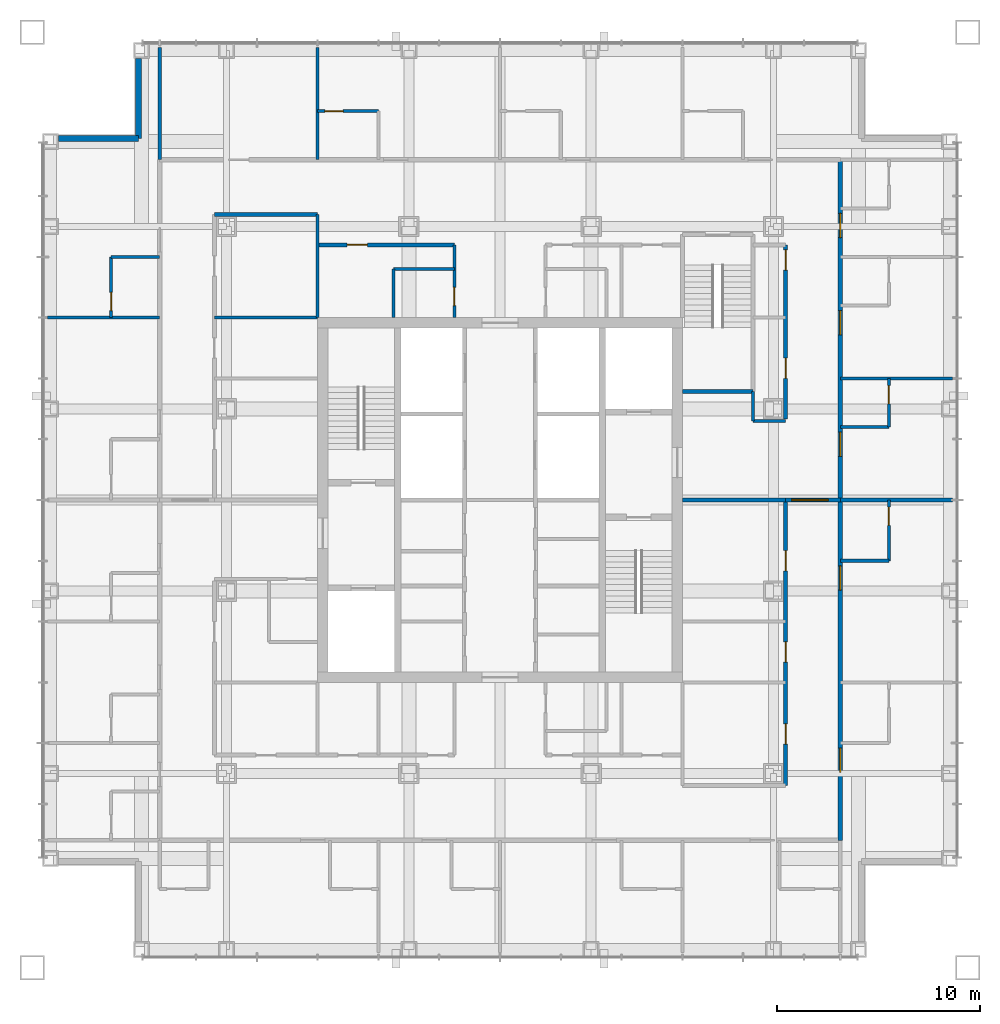
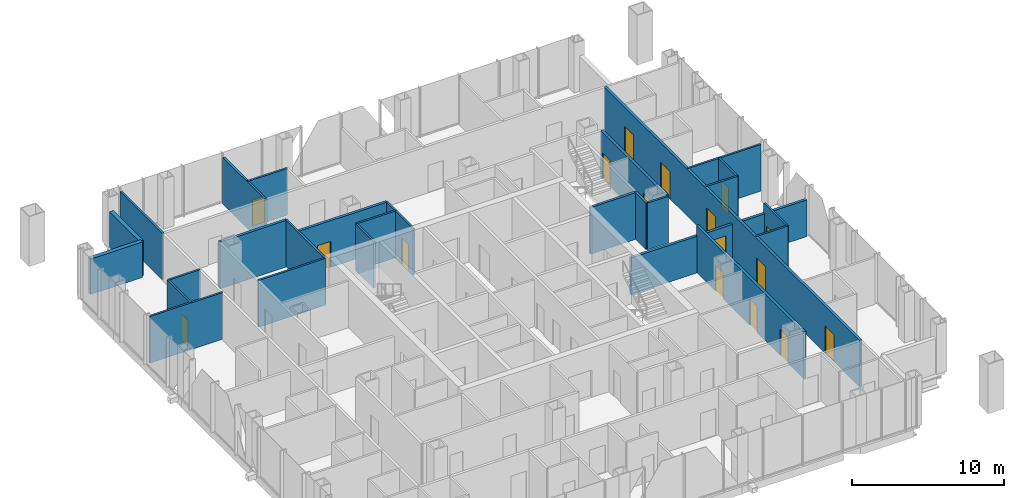
# One storey, part 10 of 17: 29 walls, 17 doors, 17 openings.
"""IFC4 building model written with IfcOpenShell, lengths in metres."""

from ifc_helpers import new_model, si_unit, direction, frame, frame_2d, origin, place, context, subcontext, project, spatial, rectangle, extrude, material, layer, layer_set, type_object, element, fill, save


model = new_model("IFC4")

# Units and contexts
model_context = context("Model", 3, precision=1e-05, world=origin(), true_north=direction((0.0, 1.0)))
body_context = subcontext(model_context, "Body", "Model", "MODEL_VIEW")
ifc_project = project(units=[si_unit("LENGTHUNIT", "METRE"), si_unit("AREAUNIT", "SQUARE_METRE"), si_unit("VOLUMEUNIT", "CUBIC_METRE"), si_unit("PLANEANGLEUNIT", "RADIAN"), si_unit("MASSUNIT", "GRAM", prefix="KILO")], contexts=[model_context])

# Site, building, storey
site_placement = place(None, origin())
site = spatial("IfcSite", under=ifc_project, at=site_placement, CompositionType="ELEMENT")
building_placement = place(site_placement, origin())
building = spatial("IfcBuilding", under=site, at=building_placement, Name="Malebo Sky Hospital", CompositionType="ELEMENT")
storey_placement = place(building_placement, frame((0.0, 0.0, 237.0)))
storey = spatial("IfcBuildingStorey", under=building, at=storey_placement, Name="L57", CompositionType="ELEMENT", Elevation=237.0)

# Wall
ifc_material_1 = material(Name="Gypsum board on steel studs", Category="steel")
ifc_layer_1 = layer(ifc_material_1, 0.199951171875)
ifc_layer_set_1 = layer_set([ifc_layer_1], Name="CORRIDOR WALL 200")
wall_type_1 = type_object("IfcWallType", Name="CORRIDOR WALL 200", PredefinedType="PARTITIONING", material=ifc_layer_set_1)
wall_1_placement = place(storey_placement, frame((45.89990234375, 76.10009765625, 0.0), z_axis=(0.0, 0.0, 1.0), x_axis=(1.0, 0.0, 0.0)))
element("IfcWall", 1, at=wall_1_placement, inside=storey, type_object=wall_type_1, Name="Corridor Wall 200 NCIK", PredefinedType="PARTITIONING", context=body_context, shape_type="SweptSolid", body=[
    extrude(rectangle(XDim=5.10009765625, YDim=0.199951171875, at=frame_2d((2.550048828125, 0.0))), origin(), (0.0, 0.0, 1.0), 3.75),
])

# Wall, opening, door
wall_2_placement = place(storey_placement, frame((51.0, 74.60009765625, 0.0), z_axis=(0.0, 0.0, 1.0), x_axis=(1.0, 0.0, 0.0)))
wall_2 = element("IfcWall", 2, at=wall_2_placement, inside=storey, type_object=wall_type_1, Name="Corridor Wall 200 NCI1", PredefinedType="PARTITIONING", context=body_context, shape_type="SweptSolid", body=[
    extrude(rectangle(XDim=6.75, YDim=0.199951171875, at=frame_2d((3.375, 0.0))), origin(), (0.0, 0.0, 1.0), 3.75),
])
opening_1_placement = place(wall_2_placement, frame((1.449951171875, 0.0, 0.0)))
opening_1 = element("IfcOpeningElement", 3, at=opening_1_placement, cuts=wall_2, Name="Opening D03", PredefinedType="OPENING", context=body_context, shape_type="SweptSolid", body=[
    extrude(rectangle(XDim=1.0, YDim=2.10009765625, at=frame_2d((0.5, 1.050048828125))), frame((0.0, 0.10986328125, 0.0), z_axis=(0.0, -1.0, 0.0), x_axis=(1.0, 0.0, 0.0)), (0.0, 0.0, 1.0), 0.219970703125),
])
ifc_material_2 = material(Name="Hardwood-faced door leaf in steel frame", Category="steel")
door_type_1 = type_object("IfcDoorType", Name="ROOM DOOR 1000", OperationType="SINGLE_SWING_LEFT", PredefinedType="DOOR", material=ifc_material_2)
door_1_placement = place(opening_1_placement, origin())
door_1 = element("IfcDoor", 4, at=door_1_placement, inside=storey, type_object=door_type_1, Name="Treatment room door", OperationType="SINGLE_SWING_LEFT", OverallHeight=2.10009765625, OverallWidth=1.0, PredefinedType="DOOR", context=body_context, shape_type="SweptSolid", body=[
    extrude(rectangle(XDim=1.0, YDim=2.10009765625, at=frame_2d((0.5, 1.050048828125))), frame((0.0, 0.02490234375, 0.0), z_axis=(0.0, -1.0, 0.0), x_axis=(1.0, 0.0, 0.0)), (0.0, 0.0, 1.0), 0.050048828125),
])
fill(opening_1, door_1)

# Wall, openings, doors
wall_3_placement = place(storey_placement, frame((76.800048828125, 78.800048828125, 0.0), z_axis=(0.0, 0.0, 1.0), x_axis=(0.0, -1.0, 0.0)))
wall_3 = element("IfcWall", 5, at=wall_3_placement, inside=storey, type_object=wall_type_1, Name="Corridor Wall 200 ECO", PredefinedType="PARTITIONING", context=body_context, shape_type="SweptSolid", body=[
    extrude(rectangle(XDim=33.60009765625, YDim=0.199951171875, at=frame_2d((16.800048828125, 0.0))), origin(), (0.0, 0.0, 1.0), 3.75),
])
opening_2_placement = place(wall_3_placement, frame((2.64990234375, 0.0, 0.0)))
opening_2 = element("IfcOpeningElement", 6, at=opening_2_placement, cuts=wall_3, Name="Opening D01", PredefinedType="OPENING", context=body_context, shape_type="SweptSolid", body=[
    extrude(rectangle(XDim=1.199951171875, YDim=2.199951171875, at=frame_2d((0.60009765625, 1.10009765625))), frame((0.0, 0.10986328125, 0.0), z_axis=(0.0, -1.0, 0.0), x_axis=(1.0, 0.0, 0.0)), (0.0, 0.0, 1.0), 0.219970703125),
])
opening_3_placement = place(wall_3_placement, frame((7.449951171875, 0.0, 0.0)))
opening_3 = element("IfcOpeningElement", 7, at=opening_3_placement, cuts=wall_3, Name="Opening D01", PredefinedType="OPENING", context=body_context, shape_type="SweptSolid", body=[
    extrude(rectangle(XDim=1.199951171875, YDim=2.199951171875, at=frame_2d((0.60009765625, 1.10009765625))), frame((0.0, 0.10986328125, 0.0), z_axis=(0.0, -1.0, 0.0), x_axis=(1.0, 0.0, 0.0)), (0.0, 0.0, 1.0), 0.219970703125),
])
opening_4_placement = place(wall_3_placement, frame((13.449951171875, 0.0, 0.0)))
opening_4 = element("IfcOpeningElement", 8, at=opening_4_placement, cuts=wall_3, Name="Opening D01", PredefinedType="OPENING", context=body_context, shape_type="SweptSolid", body=[
    extrude(rectangle(XDim=1.199951171875, YDim=2.199951171875, at=frame_2d((0.60009765625, 1.10009765625))), frame((0.0, 0.10986328125, 0.0), z_axis=(0.0, -1.0, 0.0), x_axis=(1.0, 0.0, 0.0)), (0.0, 0.0, 1.0), 0.219970703125),
])
opening_5_placement = place(wall_3_placement, frame((20.050048828125, 0.0, 0.0)))
opening_5 = element("IfcOpeningElement", 9, at=opening_5_placement, cuts=wall_3, Name="Opening D01", PredefinedType="OPENING", context=body_context, shape_type="SweptSolid", body=[
    extrude(rectangle(XDim=1.199951171875, YDim=2.199951171875, at=frame_2d((0.60009765625, 1.10009765625))), frame((0.0, 0.10986328125, 0.0), z_axis=(0.0, -1.0, 0.0), x_axis=(1.0, 0.0, 0.0)), (0.0, 0.0, 1.0), 0.219970703125),
])
opening_6_placement = place(wall_3_placement, frame((29.050048828125, 0.0, 0.0)))
opening_6 = element("IfcOpeningElement", 10, at=opening_6_placement, cuts=wall_3, Name="Opening D01", PredefinedType="OPENING", context=body_context, shape_type="SweptSolid", body=[
    extrude(rectangle(XDim=1.199951171875, YDim=2.199951171875, at=frame_2d((0.60009765625, 1.10009765625))), frame((0.0, 0.10986328125, 0.0), z_axis=(0.0, -1.0, 0.0), x_axis=(1.0, 0.0, 0.0)), (0.0, 0.0, 1.0), 0.219970703125),
])
door_type_2 = type_object("IfcDoorType", Name="BED DOOR 1200", OperationType="SINGLE_SWING_LEFT", PredefinedType="DOOR", material=ifc_material_2)
door_2_placement = place(opening_2_placement, origin())
door_2 = element("IfcDoor", 11, at=door_2_placement, inside=storey, type_object=door_type_2, Name="Single bed room door", OperationType="SINGLE_SWING_LEFT", OverallHeight=2.199951171875, OverallWidth=1.199951171875, PredefinedType="DOOR", context=body_context, shape_type="SweptSolid", body=[
    extrude(rectangle(XDim=1.199951171875, YDim=2.199951171875, at=frame_2d((0.60009765625, 1.10009765625))), frame((0.0, 0.02490234375, 0.0), z_axis=(0.0, -1.0, 0.0), x_axis=(1.0, 0.0, 0.0)), (0.0, 0.0, 1.0), 0.050048828125),
])
fill(opening_2, door_2)
door_3_placement = place(opening_3_placement, origin())
door_3 = element("IfcDoor", 12, at=door_3_placement, inside=storey, type_object=door_type_2, Name="Single bed room door", OperationType="SINGLE_SWING_LEFT", OverallHeight=2.199951171875, OverallWidth=1.199951171875, PredefinedType="DOOR", context=body_context, shape_type="SweptSolid", body=[
    extrude(rectangle(XDim=1.199951171875, YDim=2.199951171875, at=frame_2d((0.60009765625, 1.10009765625))), frame((0.0, 0.02490234375, 0.0), z_axis=(0.0, -1.0, 0.0), x_axis=(1.0, 0.0, 0.0)), (0.0, 0.0, 1.0), 0.050048828125),
])
fill(opening_3, door_3)
door_4_placement = place(opening_4_placement, origin())
door_4 = element("IfcDoor", 13, at=door_4_placement, inside=storey, type_object=door_type_2, Name="Parent room door", OperationType="SINGLE_SWING_LEFT", OverallHeight=2.199951171875, OverallWidth=1.199951171875, PredefinedType="DOOR", context=body_context, shape_type="SweptSolid", body=[
    extrude(rectangle(XDim=1.199951171875, YDim=2.199951171875, at=frame_2d((0.60009765625, 1.10009765625))), frame((0.0, 0.02490234375, 0.0), z_axis=(0.0, -1.0, 0.0), x_axis=(1.0, 0.0, 0.0)), (0.0, 0.0, 1.0), 0.050048828125),
])
fill(opening_4, door_4)
door_5_placement = place(opening_5_placement, origin())
door_5 = element("IfcDoor", 14, at=door_5_placement, inside=storey, type_object=door_type_2, Name="Two-bed room door", OperationType="SINGLE_SWING_LEFT", OverallHeight=2.199951171875, OverallWidth=1.199951171875, PredefinedType="DOOR", context=body_context, shape_type="SweptSolid", body=[
    extrude(rectangle(XDim=1.199951171875, YDim=2.199951171875, at=frame_2d((0.60009765625, 1.10009765625))), frame((0.0, 0.02490234375, 0.0), z_axis=(0.0, -1.0, 0.0), x_axis=(1.0, 0.0, 0.0)), (0.0, 0.0, 1.0), 0.050048828125),
])
fill(opening_5, door_5)
door_6_placement = place(opening_6_placement, origin())
door_6 = element("IfcDoor", 15, at=door_6_placement, inside=storey, type_object=door_type_2, Name="Two-bed room door", OperationType="SINGLE_SWING_LEFT", OverallHeight=2.199951171875, OverallWidth=1.199951171875, PredefinedType="DOOR", context=body_context, shape_type="SweptSolid", body=[
    extrude(rectangle(XDim=1.199951171875, YDim=2.199951171875, at=frame_2d((0.60009765625, 1.10009765625))), frame((0.0, 0.02490234375, 0.0), z_axis=(0.0, -1.0, 0.0), x_axis=(1.0, 0.0, 0.0)), (0.0, 0.0, 1.0), 0.050048828125),
])
fill(opening_6, door_6)

wall_4_placement = place(storey_placement, frame((74.10009765625, 74.60009765625, 0.0), z_axis=(0.0, 0.0, 1.0), x_axis=(0.0, -1.0, 0.0)))
wall_4 = element("IfcWall", 16, at=wall_4_placement, inside=storey, type_object=wall_type_1, Name="Corridor Wall 200 ECI1", PredefinedType="PARTITIONING", context=body_context, shape_type="SweptSolid", body=[
    extrude(rectangle(XDim=8.60009765625, YDim=0.199951171875, at=frame_2d((4.300048828125, 0.0))), origin(), (0.0, 0.0, 1.0), 3.75),
])
opening_7_placement = place(wall_4_placement, frame((0.25, 0.0, 0.0)))
opening_7 = element("IfcOpeningElement", 17, at=opening_7_placement, cuts=wall_4, Name="Opening D03", PredefinedType="OPENING", context=body_context, shape_type="SweptSolid", body=[
    extrude(rectangle(XDim=1.0, YDim=2.10009765625, at=frame_2d((0.5, 1.050048828125))), frame((0.0, 0.10986328125, 0.0), z_axis=(0.0, -1.0, 0.0), x_axis=(1.0, 0.0, 0.0)), (0.0, 0.0, 1.0), 0.219970703125),
])
opening_8_placement = place(wall_4_placement, frame((5.60009765625, 0.0, 0.0)))
opening_8 = element("IfcOpeningElement", 18, at=opening_8_placement, cuts=wall_4, Name="Opening D03", PredefinedType="OPENING", context=body_context, shape_type="SweptSolid", body=[
    extrude(rectangle(XDim=1.0, YDim=2.10009765625, at=frame_2d((0.5, 1.050048828125))), frame((0.0, 0.10986328125, 0.0), z_axis=(0.0, -1.0, 0.0), x_axis=(1.0, 0.0, 0.0)), (0.0, 0.0, 1.0), 0.219970703125),
])
door_7_placement = place(opening_7_placement, origin())
door_7 = element("IfcDoor", 19, at=door_7_placement, inside=storey, type_object=door_type_1, Name="Milk kitchen door", OperationType="SINGLE_SWING_LEFT", OverallHeight=2.10009765625, OverallWidth=1.0, PredefinedType="DOOR", context=body_context, shape_type="SweptSolid", body=[
    extrude(rectangle(XDim=1.0, YDim=2.10009765625, at=frame_2d((0.5, 1.050048828125))), frame((0.0, 0.02490234375, 0.0), z_axis=(0.0, -1.0, 0.0), x_axis=(1.0, 0.0, 0.0)), (0.0, 0.0, 1.0), 0.050048828125),
])
fill(opening_7, door_7)
door_8_placement = place(opening_8_placement, origin())
door_8 = element("IfcDoor", 20, at=door_8_placement, inside=storey, type_object=door_type_1, Name="Interview room door", OperationType="SINGLE_SWING_LEFT", OverallHeight=2.10009765625, OverallWidth=1.0, PredefinedType="DOOR", context=body_context, shape_type="SweptSolid", body=[
    extrude(rectangle(XDim=1.0, YDim=2.10009765625, at=frame_2d((0.5, 1.050048828125))), frame((0.0, 0.02490234375, 0.0), z_axis=(0.0, -1.0, 0.0), x_axis=(1.0, 0.0, 0.0)), (0.0, 0.0, 1.0), 0.050048828125),
])
fill(opening_8, door_8)

wall_5_placement = place(storey_placement, frame((74.10009765625, 62.0, 0.0), z_axis=(0.0, 0.0, 1.0), x_axis=(0.0, -1.0, 0.0)))
wall_5 = element("IfcWall", 21, at=wall_5_placement, inside=storey, type_object=wall_type_1, Name="Corridor Wall 200 ECI2", PredefinedType="PARTITIONING", context=body_context, shape_type="SweptSolid", body=[
    extrude(rectangle(XDim=14.10009765625, YDim=0.199951171875, at=frame_2d((7.050048828125, 0.0))), origin(), (0.0, 0.0, 1.0), 3.75),
])
opening_9_placement = place(wall_5_placement, frame((2.5, 0.0, 0.0)))
opening_9 = element("IfcOpeningElement", 22, at=opening_9_placement, cuts=wall_5, Name="Opening D03", PredefinedType="OPENING", context=body_context, shape_type="SweptSolid", body=[
    extrude(rectangle(XDim=1.0, YDim=2.10009765625, at=frame_2d((0.5, 1.050048828125))), frame((0.0, 0.10986328125, 0.0), z_axis=(0.0, -1.0, 0.0), x_axis=(1.0, 0.0, 0.0)), (0.0, 0.0, 1.0), 0.219970703125),
])
opening_10_placement = place(wall_5_placement, frame((7.0, 0.0, 0.0)))
opening_10 = element("IfcOpeningElement", 23, at=opening_10_placement, cuts=wall_5, Name="Opening D03", PredefinedType="OPENING", context=body_context, shape_type="SweptSolid", body=[
    extrude(rectangle(XDim=1.0, YDim=2.10009765625, at=frame_2d((0.5, 1.050048828125))), frame((0.0, 0.10986328125, 0.0), z_axis=(0.0, -1.0, 0.0), x_axis=(1.0, 0.0, 0.0)), (0.0, 0.0, 1.0), 0.219970703125),
])
opening_11_placement = place(wall_5_placement, frame((11.050048828125, 0.0, 0.0)))
opening_11 = element("IfcOpeningElement", 24, at=opening_11_placement, cuts=wall_5, Name="Opening D03", PredefinedType="OPENING", context=body_context, shape_type="SweptSolid", body=[
    extrude(rectangle(XDim=1.0, YDim=2.10009765625, at=frame_2d((0.5, 1.050048828125))), frame((0.0, 0.10986328125, 0.0), z_axis=(0.0, -1.0, 0.0), x_axis=(1.0, 0.0, 0.0)), (0.0, 0.0, 1.0), 0.219970703125),
])
door_9_placement = place(opening_9_placement, origin())
door_9 = element("IfcDoor", 25, at=door_9_placement, inside=storey, type_object=door_type_1, Name="Staff rest room door", OperationType="SINGLE_SWING_LEFT", OverallHeight=2.10009765625, OverallWidth=1.0, PredefinedType="DOOR", context=body_context, shape_type="SweptSolid", body=[
    extrude(rectangle(XDim=1.0, YDim=2.10009765625, at=frame_2d((0.5, 1.050048828125))), frame((0.0, 0.02490234375, 0.0), z_axis=(0.0, -1.0, 0.0), x_axis=(1.0, 0.0, 0.0)), (0.0, 0.0, 1.0), 0.050048828125),
])
fill(opening_9, door_9)
door_10_placement = place(opening_10_placement, origin())
door_10 = element("IfcDoor", 26, at=door_10_placement, inside=storey, type_object=door_type_1, Name="Equipment store door", OperationType="SINGLE_SWING_LEFT", OverallHeight=2.10009765625, OverallWidth=1.0, PredefinedType="DOOR", context=body_context, shape_type="SweptSolid", body=[
    extrude(rectangle(XDim=1.0, YDim=2.10009765625, at=frame_2d((0.5, 1.050048828125))), frame((0.0, 0.02490234375, 0.0), z_axis=(0.0, -1.0, 0.0), x_axis=(1.0, 0.0, 0.0)), (0.0, 0.0, 1.0), 0.050048828125),
])
fill(opening_10, door_10)
door_11_placement = place(opening_11_placement, origin())
door_11 = element("IfcDoor", 27, at=door_11_placement, inside=storey, type_object=door_type_1, Name="Infant equipment store door", OperationType="SINGLE_SWING_RIGHT", OverallHeight=2.10009765625, OverallWidth=1.0, PredefinedType="DOOR", context=body_context, shape_type="SweptSolid", body=[
    extrude(rectangle(XDim=1.0, YDim=2.10009765625, at=frame_2d((0.5, 1.050048828125))), frame((0.0, 0.02490234375, 0.0), z_axis=(0.0, -1.0, 0.0), x_axis=(1.0, 0.0, 0.0)), (0.0, 0.0, 1.0), 0.050048828125),
])
fill(opening_11, door_11)

# Walls
ifc_material_3 = material(Name="Anodised aluminium rainscreen on steel framing", Category="steel")
ifc_layer_2 = layer(ifc_material_3, 0.300048828125)
ifc_layer_set_2 = layer_set([ifc_layer_2], Name="NOTCH RAINSCREEN WALL 300")
wall_type_2 = type_object("IfcWallType", Name="NOTCH RAINSCREEN WALL 300", PredefinedType="ELEMENTEDWALL", material=ifc_layer_set_2)
for number, where, z_axis, x_axis, name in (
    (28, (38.199951171875, 79.85009765625, 0.0), (0.0, 0.0, 1.0), (1.0, 0.0, 0.0), "Notch rainscreen wall W1 L57"),
    (29, (42.14990234375, 79.85009765625, 0.0), (0.0, 0.0, 1.0), (0.0, 1.0, 0.0), "Notch rainscreen wall W2 L57"),
):
    element("IfcWall", number, at=place(storey_placement, frame(where, z_axis=z_axis, x_axis=x_axis)), inside=storey, type_object=wall_type_2, Name=name, PredefinedType="ELEMENTEDWALL", context=body_context, shape_type="SweptSolid", body=[
        extrude(rectangle(XDim=3.949951171875, YDim=0.300048828125, at=frame_2d((1.97509765625, 0.0))), origin(), (0.0, 0.0, 1.0), 2.85009765625),
    ])
ifc_layer_3 = layer(ifc_material_1, 0.14990234375)
ifc_layer_set_3 = layer_set([ifc_layer_3], Name="PARTITION 150")
wall_type_3 = type_object("IfcWallType", Name="PARTITION 150", PredefinedType="PARTITIONING", material=ifc_layer_set_3)
for number, where, z_axis, x_axis, name in (
    (30, (51.0, 78.800048828125, 0.0), (0.0, 0.0, 1.0), (0.0, 1.0, 0.0), "Partition 150 NP-9.0"),
    (31, (43.199951171875, 78.800048828125, 0.0), (0.0, 0.0, 1.0), (0.0, 1.0, 0.0), "Partition 150 NP0"),
):
    element("IfcWall", number, at=place(storey_placement, frame(where, z_axis=z_axis, x_axis=x_axis)), inside=storey, type_object=wall_type_3, Name=name, PredefinedType="PARTITIONING", context=body_context, shape_type="SweptSolid", body=[
        extrude(rectangle(XDim=5.550048828125, YDim=0.14990234375, at=frame_2d((2.77490234375, 0.0))), origin(), (0.0, 0.0, 1.0), 3.75),
    ])

# Wall, opening, door
wall_6_placement = place(storey_placement, frame((51.0, 81.199951171875, 0.0), z_axis=(0.0, 0.0, 1.0), x_axis=(1.0, 0.0, 0.0)))
wall_6 = element("IfcWall", 32, at=wall_6_placement, inside=storey, type_object=wall_type_3, Name="Partition 150 NE1F", PredefinedType="PARTITIONING", context=body_context, shape_type="SweptSolid", body=[
    extrude(rectangle(XDim=3.0, YDim=0.14990234375, at=frame_2d((1.5, 0.0))), origin(), (0.0, 0.0, 1.0), 3.75),
])
opening_12_placement = place(wall_6_placement, frame((0.35009765625, 0.0, 0.0)))
opening_12 = element("IfcOpeningElement", 33, at=opening_12_placement, cuts=wall_6, Name="Opening D02", PredefinedType="OPENING", context=body_context, shape_type="SweptSolid", body=[
    extrude(rectangle(XDim=0.89990234375, YDim=2.10009765625, at=frame_2d((0.449951171875, 1.050048828125))), frame((0.0, 0.0849609375, 0.0), z_axis=(0.0, -1.0, 0.0), x_axis=(1.0, 0.0, 0.0)), (0.0, 0.0, 1.0), 0.169921875),
])
door_type_3 = type_object("IfcDoorType", Name="EN-SUITE DOOR 900", OperationType="SINGLE_SWING_LEFT", PredefinedType="DOOR", material=ifc_material_2)
door_12_placement = place(opening_12_placement, origin())
door_12 = element("IfcDoor", 34, at=door_12_placement, inside=storey, type_object=door_type_3, Name="En-suite door", OperationType="SINGLE_SWING_LEFT", OverallHeight=2.10009765625, OverallWidth=0.89990234375, PredefinedType="DOOR", context=body_context, shape_type="SweptSolid", body=[
    extrude(rectangle(XDim=0.89990234375, YDim=2.10009765625, at=frame_2d((0.449951171875, 1.050048828125))), frame((0.0, 0.02490234375, 0.0), z_axis=(0.0, -1.0, 0.0), x_axis=(1.0, 0.0, 0.0)), (0.0, 0.0, 1.0), 0.050048828125),
])
fill(opening_12, door_12)

# Wall
wall_7_placement = place(storey_placement, frame((51.0, 71.0, 0.0), z_axis=(0.0, 0.0, 1.0), x_axis=(0.0, 1.0, 0.0)))
element("IfcWall", 35, at=wall_7_placement, inside=storey, type_object=wall_type_3, Name="Partition 150 NSP0", PredefinedType="PARTITIONING", context=body_context, shape_type="SweptSolid", body=[
    extrude(rectangle(XDim=5.10009765625, YDim=0.14990234375, at=frame_2d((2.550048828125, 0.0))), origin(), (0.0, 0.0, 1.0), 3.75),
])

# Wall, opening, door
wall_8_placement = place(storey_placement, frame((57.75, 71.0, 0.0), z_axis=(0.0, 0.0, 1.0), x_axis=(0.0, 1.0, 0.0)))
wall_8 = element("IfcWall", 36, at=wall_8_placement, inside=storey, type_object=wall_type_3, Name="Partition 150 NSPA", PredefinedType="PARTITIONING", context=body_context, shape_type="SweptSolid", body=[
    extrude(rectangle(XDim=3.60009765625, YDim=0.14990234375, at=frame_2d((1.800048828125, 0.0))), origin(), (0.0, 0.0, 1.0), 3.75),
])
opening_13_placement = place(wall_8_placement, frame((0.60009765625, 0.0, 0.0)))
opening_13 = element("IfcOpeningElement", 37, at=opening_13_placement, cuts=wall_8, Name="Opening D04", PredefinedType="OPENING", context=body_context, shape_type="SweptSolid", body=[
    extrude(rectangle(XDim=0.89990234375, YDim=2.10009765625, at=frame_2d((0.449951171875, 1.050048828125))), frame((0.0, 0.0849609375, 0.0), z_axis=(0.0, -1.0, 0.0), x_axis=(1.0, 0.0, 0.0)), (0.0, 0.0, 1.0), 0.169921875),
])
door_type_4 = type_object("IfcDoorType", Name="ROOM DOOR 900", OperationType="SINGLE_SWING_LEFT", PredefinedType="DOOR", material=ifc_material_2)
door_13_placement = place(opening_13_placement, origin())
door_13 = element("IfcDoor", 38, at=door_13_placement, inside=storey, type_object=door_type_4, Name="Staff WC door", OperationType="SINGLE_SWING_LEFT", OverallHeight=2.10009765625, OverallWidth=0.89990234375, PredefinedType="DOOR", context=body_context, shape_type="SweptSolid", body=[
    extrude(rectangle(XDim=0.89990234375, YDim=2.10009765625, at=frame_2d((0.449951171875, 1.050048828125))), frame((0.0, 0.02490234375, 0.0), z_axis=(0.0, -1.0, 0.0), x_axis=(1.0, 0.0, 0.0)), (0.0, 0.0, 1.0), 0.050048828125),
])
fill(opening_13, door_13)

# Walls
wall_9_placement = place(storey_placement, frame((54.75, 73.39990234375, 0.0), z_axis=(0.0, 0.0, 1.0), x_axis=(1.0, 0.0, 0.0)))
element("IfcWall", 39, at=wall_9_placement, inside=storey, type_object=wall_type_3, Name="Partition 150 NSX0", PredefinedType="PARTITIONING", context=body_context, shape_type="SweptSolid", body=[
    extrude(rectangle(XDim=3.0, YDim=0.14990234375, at=frame_2d((1.5, 0.0))), origin(), (0.0, 0.0, 1.0), 3.75),
])
wall_10_placement = place(storey_placement, frame((54.75, 71.0, 0.0), z_axis=(0.0, 0.0, 1.0), x_axis=(0.0, 1.0, 0.0)))
element("IfcWall", 40, at=wall_10_placement, inside=storey, type_object=wall_type_3, Name="Partition 150 NSY0", PredefinedType="PARTITIONING", context=body_context, shape_type="SweptSolid", body=[
    extrude(rectangle(XDim=2.39990234375, YDim=0.14990234375, at=frame_2d((1.199951171875, 0.0))), origin(), (0.0, 0.0, 1.0), 3.75),
])
wall_11_placement = place(storey_placement, frame((43.199951171875, 71.0, 0.0), z_axis=(0.0, 0.0, 1.0), x_axis=(-1.0, 0.0, 0.0)))
element("IfcWall", 41, at=wall_11_placement, inside=storey, type_object=wall_type_3, Name="Partition 150 WP+9.0", PredefinedType="PARTITIONING", context=body_context, shape_type="SweptSolid", body=[
    extrude(rectangle(XDim=5.550048828125, YDim=0.14990234375, at=frame_2d((2.77490234375, 0.0))), origin(), (0.0, 0.0, 1.0), 3.75),
])

# Wall, opening, door
wall_12_placement = place(storey_placement, frame((40.800048828125, 71.0, 0.0), z_axis=(0.0, 0.0, 1.0), x_axis=(0.0, 1.0, 0.0)))
wall_12 = element("IfcWall", 42, at=wall_12_placement, inside=storey, type_object=wall_type_3, Name="Partition 150 WE4F", PredefinedType="PARTITIONING", context=body_context, shape_type="SweptSolid", body=[
    extrude(rectangle(XDim=3.0, YDim=0.14990234375, at=frame_2d((1.5, 0.0))), origin(), (0.0, 0.0, 1.0), 3.75),
])
opening_14_placement = place(wall_12_placement, frame((0.35009765625, 0.0, 0.0)))
opening_14 = element("IfcOpeningElement", 43, at=opening_14_placement, cuts=wall_12, Name="Opening D02", PredefinedType="OPENING", context=body_context, shape_type="SweptSolid", body=[
    extrude(rectangle(XDim=0.89990234375, YDim=2.10009765625, at=frame_2d((0.449951171875, 1.050048828125))), frame((0.0, 0.0849609375, 0.0), z_axis=(0.0, -1.0, 0.0), x_axis=(1.0, 0.0, 0.0)), (0.0, 0.0, 1.0), 0.169921875),
])
door_14_placement = place(opening_14_placement, origin())
door_14 = element("IfcDoor", 44, at=door_14_placement, inside=storey, type_object=door_type_3, Name="En-suite door", OperationType="SINGLE_SWING_LEFT", OverallHeight=2.10009765625, OverallWidth=0.89990234375, PredefinedType="DOOR", context=body_context, shape_type="SweptSolid", body=[
    extrude(rectangle(XDim=0.89990234375, YDim=2.10009765625, at=frame_2d((0.449951171875, 1.050048828125))), frame((0.0, 0.02490234375, 0.0), z_axis=(0.0, -1.0, 0.0), x_axis=(1.0, 0.0, 0.0)), (0.0, 0.0, 1.0), 0.050048828125),
])
fill(opening_14, door_14)

# Walls
wall_13_placement = place(storey_placement, frame((43.199951171875, 74.0, 0.0), z_axis=(0.0, 0.0, 1.0), x_axis=(-1.0, 0.0, 0.0)))
element("IfcWall", 45, at=wall_13_placement, inside=storey, type_object=wall_type_3, Name="Partition 150 WE4S", PredefinedType="PARTITIONING", context=body_context, shape_type="SweptSolid", body=[
    extrude(rectangle(XDim=2.39990234375, YDim=0.14990234375, at=frame_2d((1.199951171875, 0.0))), origin(), (0.0, 0.0, 1.0), 3.75),
])
wall_14_placement = place(storey_placement, frame((51.0, 71.0, 0.0), z_axis=(0.0, 0.0, 1.0), x_axis=(-1.0, 0.0, 0.0)))
element("IfcWall", 46, at=wall_14_placement, inside=storey, type_object=wall_type_3, Name="Partition 150 WSP+9.0", PredefinedType="PARTITIONING", context=body_context, shape_type="SweptSolid", body=[
    extrude(rectangle(XDim=5.10009765625, YDim=0.14990234375, at=frame_2d((2.550048828125, 0.0))), origin(), (0.0, 0.0, 1.0), 3.75),
])
wall_15_placement = place(storey_placement, frame((76.800048828125, 68.0, 0.0), z_axis=(0.0, 0.0, 1.0), x_axis=(1.0, 0.0, 0.0)))
element("IfcWall", 47, at=wall_15_placement, inside=storey, type_object=wall_type_3, Name="Partition 150 EP-6.0", PredefinedType="PARTITIONING", context=body_context, shape_type="SweptSolid", body=[
    extrude(rectangle(XDim=5.550048828125, YDim=0.14990234375, at=frame_2d((2.77490234375, 0.0))), origin(), (0.0, 0.0, 1.0), 3.75),
])

# Wall, opening, door
wall_16_placement = place(storey_placement, frame((79.199951171875, 68.0, 0.0), z_axis=(0.0, 0.0, 1.0), x_axis=(0.0, -1.0, 0.0)))
wall_16 = element("IfcWall", 48, at=wall_16_placement, inside=storey, type_object=wall_type_3, Name="Partition 150 EE2F", PredefinedType="PARTITIONING", context=body_context, shape_type="SweptSolid", body=[
    extrude(rectangle(XDim=2.39990234375, YDim=0.14990234375, at=frame_2d((1.199951171875, 0.0))), origin(), (0.0, 0.0, 1.0), 3.75),
])
opening_15_placement = place(wall_16_placement, frame((0.35009765625, 0.0, 0.0)))
opening_15 = element("IfcOpeningElement", 49, at=opening_15_placement, cuts=wall_16, Name="Opening D02", PredefinedType="OPENING", context=body_context, shape_type="SweptSolid", body=[
    extrude(rectangle(XDim=0.89990234375, YDim=2.10009765625, at=frame_2d((0.449951171875, 1.050048828125))), frame((0.0, 0.0849609375, 0.0), z_axis=(0.0, -1.0, 0.0), x_axis=(1.0, 0.0, 0.0)), (0.0, 0.0, 1.0), 0.169921875),
])
door_15_placement = place(opening_15_placement, origin())
door_15 = element("IfcDoor", 50, at=door_15_placement, inside=storey, type_object=door_type_3, Name="En-suite door", OperationType="SINGLE_SWING_LEFT", OverallHeight=2.10009765625, OverallWidth=0.89990234375, PredefinedType="DOOR", context=body_context, shape_type="SweptSolid", body=[
    extrude(rectangle(XDim=0.89990234375, YDim=2.10009765625, at=frame_2d((0.449951171875, 1.050048828125))), frame((0.0, 0.02490234375, 0.0), z_axis=(0.0, -1.0, 0.0), x_axis=(1.0, 0.0, 0.0)), (0.0, 0.0, 1.0), 0.050048828125),
])
fill(opening_15, door_15)

# Wall
wall_17_placement = place(storey_placement, frame((76.800048828125, 65.60009765625, 0.0), z_axis=(0.0, 0.0, 1.0), x_axis=(1.0, 0.0, 0.0)))
element("IfcWall", 51, at=wall_17_placement, inside=storey, type_object=wall_type_3, Name="Partition 150 EE2S", PredefinedType="PARTITIONING", context=body_context, shape_type="SweptSolid", body=[
    extrude(rectangle(XDim=2.39990234375, YDim=0.14990234375, at=frame_2d((1.199951171875, 0.0))), origin(), (0.0, 0.0, 1.0), 3.75),
])

# Wall, opening, door
wall_18_placement = place(storey_placement, frame((79.199951171875, 62.0, 0.0), z_axis=(0.0, 0.0, 1.0), x_axis=(0.0, -1.0, 0.0)))
wall_18 = element("IfcWall", 52, at=wall_18_placement, inside=storey, type_object=wall_type_3, Name="Partition 150 EE3F", PredefinedType="PARTITIONING", context=body_context, shape_type="SweptSolid", body=[
    extrude(rectangle(XDim=3.0, YDim=0.14990234375, at=frame_2d((1.5, 0.0))), origin(), (0.0, 0.0, 1.0), 3.75),
])
opening_16_placement = place(wall_18_placement, frame((0.35009765625, 0.0, 0.0)))
opening_16 = element("IfcOpeningElement", 53, at=opening_16_placement, cuts=wall_18, Name="Opening D02", PredefinedType="OPENING", context=body_context, shape_type="SweptSolid", body=[
    extrude(rectangle(XDim=0.89990234375, YDim=2.10009765625, at=frame_2d((0.449951171875, 1.050048828125))), frame((0.0, 0.0849609375, 0.0), z_axis=(0.0, -1.0, 0.0), x_axis=(1.0, 0.0, 0.0)), (0.0, 0.0, 1.0), 0.169921875),
])
door_16_placement = place(opening_16_placement, origin())
door_16 = element("IfcDoor", 54, at=door_16_placement, inside=storey, type_object=door_type_3, Name="En-suite door", OperationType="SINGLE_SWING_LEFT", OverallHeight=2.10009765625, OverallWidth=0.89990234375, PredefinedType="DOOR", context=body_context, shape_type="SweptSolid", body=[
    extrude(rectangle(XDim=0.89990234375, YDim=2.10009765625, at=frame_2d((0.449951171875, 1.050048828125))), frame((0.0, 0.02490234375, 0.0), z_axis=(0.0, -1.0, 0.0), x_axis=(1.0, 0.0, 0.0)), (0.0, 0.0, 1.0), 0.050048828125),
])
fill(opening_16, door_16)

# Walls
wall_19_placement = place(storey_placement, frame((76.800048828125, 59.0, 0.0), z_axis=(0.0, 0.0, 1.0), x_axis=(1.0, 0.0, 0.0)))
element("IfcWall", 55, at=wall_19_placement, inside=storey, type_object=wall_type_3, Name="Partition 150 EE3S", PredefinedType="PARTITIONING", context=body_context, shape_type="SweptSolid", body=[
    extrude(rectangle(XDim=2.39990234375, YDim=0.14990234375, at=frame_2d((1.199951171875, 0.0))), origin(), (0.0, 0.0, 1.0), 3.75),
])
wall_20_placement = place(storey_placement, frame((72.5, 65.89990234375, 0.0), z_axis=(0.0, 0.0, 1.0), x_axis=(1.0, 0.0, 0.0)))
element("IfcWall", 56, at=wall_20_placement, inside=storey, type_object=wall_type_3, Name="Partition 150 ESPA", PredefinedType="PARTITIONING", context=body_context, shape_type="SweptSolid", body=[
    extrude(rectangle(XDim=1.60009765625, YDim=0.14990234375, at=frame_2d((0.800048828125, 0.0))), origin(), (0.0, 0.0, 1.0), 3.75),
])
wall_21_placement = place(storey_placement, frame((72.5, 65.89990234375, 0.0), z_axis=(0.0, 0.0, 1.0), x_axis=(0.0, 1.0, 0.0)))
element("IfcWall", 57, at=wall_21_placement, inside=storey, type_object=wall_type_3, Name="Partition 150 ST3C", PredefinedType="PARTITIONING", context=body_context, shape_type="SweptSolid", body=[
    extrude(rectangle(XDim=1.4501953125, YDim=0.14990234375, at=frame_2d((0.72509765625, 0.0))), origin(), (0.0, 0.0, 1.0), 3.75),
])
ifc_material_4 = material(Name="Concrete blockwork", Category="masonry")
ifc_layer_4 = layer(ifc_material_4, 0.199951171875)
ifc_layer_set_4 = layer_set([ifc_layer_4], Name="SMOKE BARRIER WALL 200")
wall_type_4 = type_object("IfcWallType", Name="SMOKE BARRIER WALL 200", PredefinedType="SOLIDWALL", material=ifc_layer_set_4)
wall_22_placement = place(storey_placement, frame((76.800048828125, 62.0, 0.0), z_axis=(0.0, 0.0, 1.0), x_axis=(1.0, 0.0, 0.0)))
element("IfcWall", 58, at=wall_22_placement, inside=storey, type_object=wall_type_4, Name="Smoke Barrier Wall 200 EP+0.0", PredefinedType="SOLIDWALL", context=body_context, shape_type="SweptSolid", body=[
    extrude(rectangle(XDim=5.550048828125, YDim=0.199951171875, at=frame_2d((2.77490234375, 0.0))), origin(), (0.0, 0.0, 1.0), 2.949951171875),
])
wall_23_placement = place(storey_placement, frame((69.0, 62.0, 0.0), z_axis=(0.0, 0.0, 1.0), x_axis=(1.0, 0.0, 0.0)))
element("IfcWall", 59, at=wall_23_placement, inside=storey, type_object=wall_type_4, Name="Smoke Barrier Wall 200 ESPB", PredefinedType="SOLIDWALL", context=body_context, shape_type="SweptSolid", body=[
    extrude(rectangle(XDim=5.10009765625, YDim=0.199951171875, at=frame_2d((2.550048828125, 0.0))), origin(), (0.0, 0.0, 1.0), 2.949951171875),
])

# Wall, opening, door
wall_24_placement = place(storey_placement, frame((74.10009765625, 62.0, 0.0), z_axis=(0.0, 0.0, 1.0), x_axis=(1.0, 0.0, 0.0)))
wall_24 = element("IfcWall", 60, at=wall_24_placement, inside=storey, type_object=wall_type_4, Name="Smoke Barrier Wall 200 ESB", PredefinedType="SOLIDWALL", context=body_context, shape_type="SweptSolid", body=[
    extrude(rectangle(XDim=2.699951171875, YDim=0.199951171875, at=frame_2d((1.35009765625, 0.0))), origin(), (0.0, 0.0, 1.0), 2.949951171875),
])
opening_17_placement = place(wall_24_placement, frame((0.300048828125, 0.0, 0.0)))
opening_17 = element("IfcOpeningElement", 61, at=opening_17_placement, cuts=wall_24, Name="Opening D05", PredefinedType="OPENING", context=body_context, shape_type="SweptSolid", body=[
    extrude(rectangle(XDim=1.800048828125, YDim=2.199951171875, at=frame_2d((0.89990234375, 1.10009765625))), frame((0.0, 0.10986328125, 0.0), z_axis=(0.0, -1.0, 0.0), x_axis=(1.0, 0.0, 0.0)), (0.0, 0.0, 1.0), 0.219970703125),
])
door_type_5 = type_object("IfcDoorType", Name="SMOKE DOOR PAIR 1800", OperationType="DOUBLE_DOOR_DOUBLE_SWING", PredefinedType="DOOR", material=ifc_material_2)
door_17_placement = place(opening_17_placement, origin())
door_17 = element("IfcDoor", 62, at=door_17_placement, inside=storey, type_object=door_type_5, Name="Smoke compartment door pair", OperationType="DOUBLE_DOOR_DOUBLE_SWING", OverallHeight=2.199951171875, OverallWidth=1.800048828125, PredefinedType="DOOR", context=body_context, shape_type="SweptSolid", body=[
    extrude(rectangle(XDim=1.800048828125, YDim=2.199951171875, at=frame_2d((0.89990234375, 1.10009765625))), frame((0.0, 0.02490234375, 0.0), z_axis=(0.0, -1.0, 0.0), x_axis=(1.0, 0.0, 0.0)), (0.0, 0.0, 1.0), 0.050048828125),
])
fill(opening_17, door_17)

# Wall
ifc_material_5 = material(Name="Concrete C40/50", Category="concrete")
ifc_layer_5 = layer(ifc_material_5, 0.199951171875)
ifc_layer_set_5 = layer_set([ifc_layer_5], Name="STAIR ENCLOSURE WALL 200")
wall_type_5 = type_object("IfcWallType", Name="STAIR ENCLOSURE WALL 200", PredefinedType="SOLIDWALL", material=ifc_layer_set_5)
wall_25_placement = place(storey_placement, frame((69.0, 67.35009765625, 0.0), z_axis=(0.0, 0.0, 1.0), x_axis=(1.0, 0.0, 0.0)))
element("IfcWall", 63, at=wall_25_placement, inside=storey, type_object=wall_type_5, Name="Stair Enclosure Wall 200 ST3S", PredefinedType="SOLIDWALL", context=body_context, shape_type="SweptSolid", body=[
    extrude(rectangle(XDim=3.5, YDim=0.199951171875, at=frame_2d((1.75, 0.0))), origin(), (0.0, 0.0, 1.0), 3.75),
])

save(model, "model.ifc")
